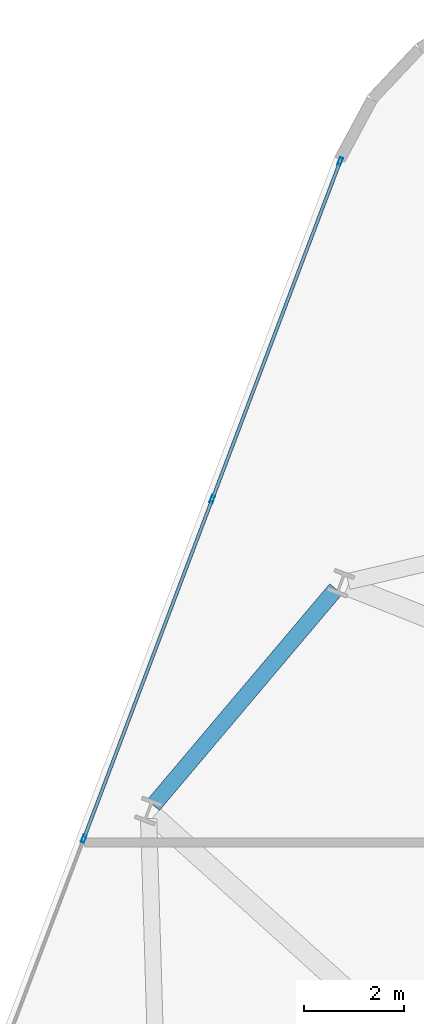
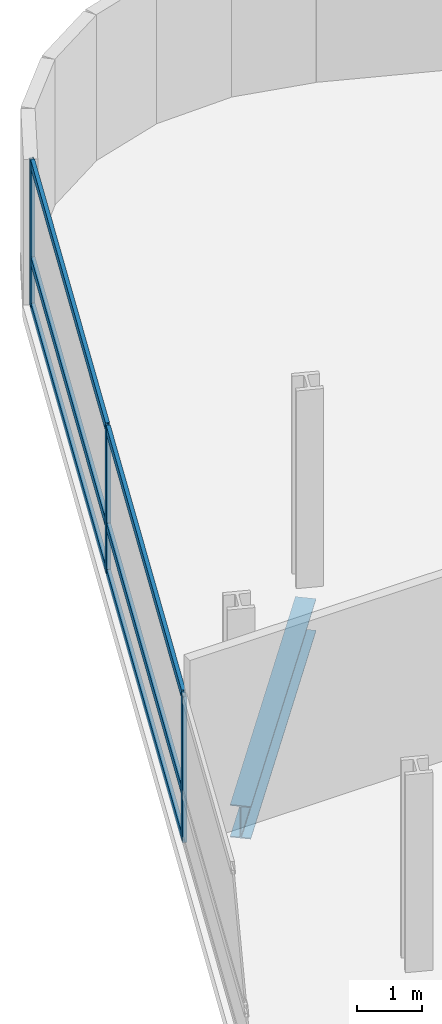
# One storey, part 8 of 26: 9 members, 1 beam, 1 element without a shape of its own.
"""IFC4 building model written with IfcOpenShell, lengths in metres."""

from ifc_helpers import new_model, si_unit, direction, frame, origin, origin_2d, place, context, subcontext, project, spatial, hollow_rectangle, i_section, extrude, material, layer, layer_set, material_profile, profile_set, type_object, element, aggregate, save


model = new_model("IFC4")

# Units and contexts
model_context = context("Model", 3, precision=1e-05, world=origin(), true_north=direction((0.0, 1.0)))
body_context = subcontext(model_context, "Body", "Model", "MODEL_VIEW")
ifc_project = project(units=[si_unit("LENGTHUNIT", "METRE"), si_unit("AREAUNIT", "SQUARE_METRE"), si_unit("VOLUMEUNIT", "CUBIC_METRE"), si_unit("PLANEANGLEUNIT", "RADIAN"), si_unit("MASSUNIT", "GRAM", prefix="KILO")], contexts=[model_context])

# Site, building, storey
site_placement = place(None, origin())
site = spatial("IfcSite", under=ifc_project, at=site_placement, CompositionType="ELEMENT")
building_placement = place(site_placement, origin())
building = spatial("IfcBuilding", under=site, at=building_placement, Name="Varnelok Gate Tower", CompositionType="ELEMENT")
storey_placement = place(building_placement, frame((0.0, 0.0, 109.5)))
storey = spatial("IfcBuildingStorey", under=building, at=storey_placement, Name="L27", CompositionType="ELEMENT", Elevation=109.5)

# Beam
ifc_material_1 = material(Name="Structural Steel ASTM A992 Grade 50", Category="steel")
ifc_material_profile_1 = material_profile(ifc_material_1, i_section(OverallWidth=0.323974609375, OverallDepth=0.611083984375, WebThickness=0.0126953125, FlangeThickness=0.01904296875, FilletRadius=0.01806640625, at=origin_2d()), Name="W24X104")
ifc_profile_set_1 = profile_set([ifc_material_profile_1], Name="Structural Steel ASTM A992 Grade 50")
beam_type = type_object("IfcBeamType", Name="BM-SPN-W24X104", PredefinedType="SPANDREL", material=ifc_profile_set_1)
beam_placement = place(storey_placement, frame((10.66650390625, 46.857666015625, -0.555419921875), z_axis=(-0.645376429405, -0.763864689829, 0.0), x_axis=(0.763864689829, -0.645376429405, 0.0)))
element("IfcBeam", 1, at=beam_placement, inside=storey, type_object=beam_type, Name="L27 Perimeter Spandrel Beam 14", PredefinedType="SPANDREL", context=body_context, shape_type="SweptSolid", body=[
    extrude(i_section(OverallWidth=0.323974609375, OverallDepth=0.611083984375, WebThickness=0.0126953125, FlangeThickness=0.01904296875, FilletRadius=0.01806640625, at=origin_2d()), origin(), (0.0, 0.0, 1.0), 5.64990234375),
])

# Curtain wall, members
ifc_material_2 = material(Name="Anodized Aluminum Alloy 6063-T6", Category="aluminium")
ifc_layer = layer(ifc_material_2, 0.179931640625)
ifc_layer_set = layer_set([ifc_layer], Name="Anodized Aluminum Alloy 6063-T6")
curtain_wall_type = type_object("IfcCurtainWallType", Name="CW3-HOTEL-VISION", PredefinedType="USERDEFINED", material=ifc_layer_set)
curtain_wall_placement = place(storey_placement, origin())
curtain_wall = element("IfcCurtainWall", 2, at=curtain_wall_placement, inside=storey, type_object=curtain_wall_type, Name="L27 West End Vision Curtain Wall", ObjectType="UNITISED CURTAIN WALL", PredefinedType="USERDEFINED")
ifc_material_profile_2 = material_profile(ifc_material_2, hollow_rectangle(XDim=0.06494140625, YDim=0.159912109375, WallThickness=0.00390625, at=origin_2d()), Name="ALU160X65X4")
ifc_profile_set_2 = profile_set([ifc_material_profile_2], Name="Anodized Aluminum Alloy 6063-T6")
member_type_1 = type_object("IfcMemberType", Name="CW-MULL-160", PredefinedType="MULLION", material=ifc_profile_set_2)
member_1_placement = place(storey_placement, frame((5.63525390625, 41.8779296875, 0.0), z_axis=(0.0, 0.0, 1.0), x_axis=(-0.935221323688, 0.354063660545, 0.0)))
member_1 = element("IfcMember", 3, at=member_1_placement, type_object=member_type_1, Name="CW3 mullion 4", PredefinedType="MULLION", context=body_context, shape_type="SweptSolid", body=[
    extrude(hollow_rectangle(XDim=0.06494140625, YDim=0.159912109375, WallThickness=0.00390625, at=origin_2d()), origin(), (0.0, 0.0, 1.0), 2.72998046875),
])
member_2_placement = place(storey_placement, frame((8.19873046875, 48.64892578125, 0.0), z_axis=(0.0, 0.0, 1.0), x_axis=(-0.935221323688, 0.354063660545, 0.0)))
member_2 = element("IfcMember", 4, at=member_2_placement, type_object=member_type_1, Name="CW3 mullion 5", PredefinedType="MULLION", context=body_context, shape_type="SweptSolid", body=[
    extrude(hollow_rectangle(XDim=0.06494140625, YDim=0.159912109375, WallThickness=0.00390625, at=origin_2d()), origin(), (0.0, 0.0, 1.0), 2.72998046875),
])
member_3_placement = place(storey_placement, frame((10.750732421875, 55.389404296875, 0.0), z_axis=(0.0, 0.0, 1.0), x_axis=(-0.935221323688, 0.354063660545, 0.0)))
member_3 = element("IfcMember", 5, at=member_3_placement, type_object=member_type_1, Name="CW3 mullion 6", PredefinedType="MULLION", context=body_context, shape_type="SweptSolid", body=[
    extrude(hollow_rectangle(XDim=0.06494140625, YDim=0.159912109375, WallThickness=0.00390625, at=origin_2d()), origin(), (0.0, 0.0, 1.0), 2.72998046875),
])
ifc_material_profile_3 = material_profile(ifc_material_2, hollow_rectangle(XDim=0.06494140625, YDim=0.159912109375, WallThickness=0.00390625, at=origin_2d()), Name="ALU160X65X4")
ifc_profile_set_3 = profile_set([ifc_material_profile_3], Name="Anodized Aluminum Alloy 6063-T6")
member_type_2 = type_object("IfcMemberType", Name="CW-TRAN-160", PredefinedType="USERDEFINED", material=ifc_profile_set_3)
member_4_placement = place(storey_placement, frame((5.64697265625, 41.908203125, 0.032470703125), z_axis=(0.354048963644, 0.935226887628, 0.0), x_axis=(-0.935226887628, 0.354048963644, 0.0)))
member_4 = element("IfcMember", 6, at=member_4_placement, type_object=member_type_2, Name="CW3 transom 4.1", ObjectType="TRANSOM", PredefinedType="USERDEFINED", context=body_context, shape_type="SweptSolid", body=[
    extrude(hollow_rectangle(XDim=0.06494140625, YDim=0.159912109375, WallThickness=0.00390625, at=origin_2d()), origin(), (0.0, 0.0, 1.0), 7.175048828125),
])
member_5_placement = place(storey_placement, frame((5.64697265625, 41.908203125, 0.89990234375), z_axis=(0.354048963644, 0.935226887628, 0.0), x_axis=(-0.935226887628, 0.354048963644, 0.0)))
member_5 = element("IfcMember", 7, at=member_5_placement, type_object=member_type_2, Name="CW3 transom 4.2", ObjectType="TRANSOM", PredefinedType="USERDEFINED", context=body_context, shape_type="SweptSolid", body=[
    extrude(hollow_rectangle(XDim=0.06494140625, YDim=0.159912109375, WallThickness=0.00390625, at=origin_2d()), origin(), (0.0, 0.0, 1.0), 7.175048828125),
])
member_6_placement = place(storey_placement, frame((5.64697265625, 41.908203125, 2.697509765625), z_axis=(0.354048963644, 0.935226887628, 0.0), x_axis=(-0.935226887628, 0.354048963644, 0.0)))
member_6 = element("IfcMember", 8, at=member_6_placement, type_object=member_type_2, Name="CW3 transom 4.3", ObjectType="TRANSOM", PredefinedType="USERDEFINED", context=body_context, shape_type="SweptSolid", body=[
    extrude(hollow_rectangle(XDim=0.06494140625, YDim=0.159912109375, WallThickness=0.00390625, at=origin_2d()), origin(), (0.0, 0.0, 1.0), 7.175048828125),
])
member_7_placement = place(storey_placement, frame((8.210205078125, 48.67919921875, 0.032470703125), z_axis=(0.354077146385, 0.935216217999, 0.0), x_axis=(-0.935216217999, 0.354077146385, 0.0)))
member_7 = element("IfcMember", 9, at=member_7_placement, type_object=member_type_2, Name="CW3 transom 5.1", ObjectType="TRANSOM", PredefinedType="USERDEFINED", context=body_context, shape_type="SweptSolid", body=[
    extrude(hollow_rectangle(XDim=0.06494140625, YDim=0.159912109375, WallThickness=0.00390625, at=origin_2d()), origin(), (0.0, 0.0, 1.0), 7.142578125),
])
member_8_placement = place(storey_placement, frame((8.210205078125, 48.67919921875, 0.89990234375), z_axis=(0.354077146385, 0.935216217999, 0.0), x_axis=(-0.935216217999, 0.354077146385, 0.0)))
member_8 = element("IfcMember", 10, at=member_8_placement, type_object=member_type_2, Name="CW3 transom 5.2", ObjectType="TRANSOM", PredefinedType="USERDEFINED", context=body_context, shape_type="SweptSolid", body=[
    extrude(hollow_rectangle(XDim=0.06494140625, YDim=0.159912109375, WallThickness=0.00390625, at=origin_2d()), origin(), (0.0, 0.0, 1.0), 7.142578125),
])
member_9_placement = place(storey_placement, frame((8.210205078125, 48.67919921875, 2.697509765625), z_axis=(0.354077146385, 0.935216217999, 0.0), x_axis=(-0.935216217999, 0.354077146385, 0.0)))
member_9 = element("IfcMember", 11, at=member_9_placement, type_object=member_type_2, Name="CW3 transom 5.3", ObjectType="TRANSOM", PredefinedType="USERDEFINED", context=body_context, shape_type="SweptSolid", body=[
    extrude(hollow_rectangle(XDim=0.06494140625, YDim=0.159912109375, WallThickness=0.00390625, at=origin_2d()), origin(), (0.0, 0.0, 1.0), 7.142578125),
])
aggregate(curtain_wall, [member_1, member_2, member_3, member_4, member_5, member_6, member_7, member_8, member_9])

save(model, "model.ifc")
